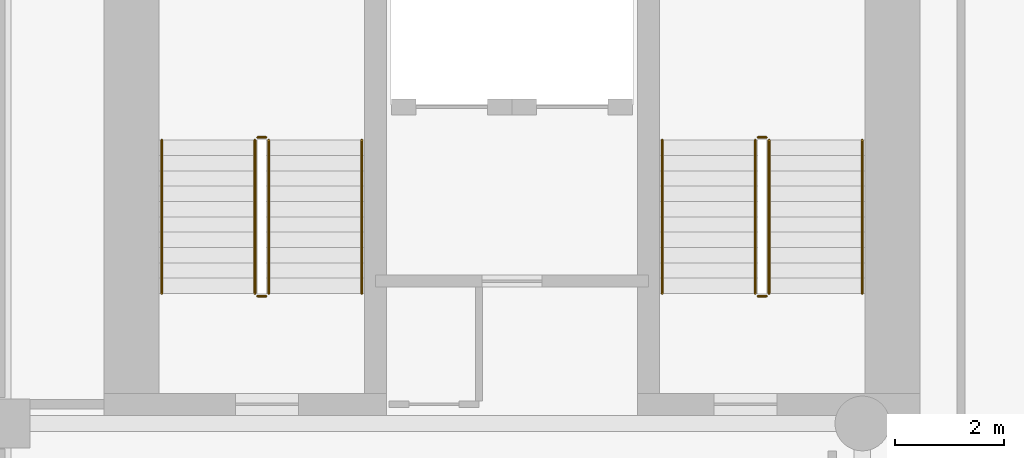
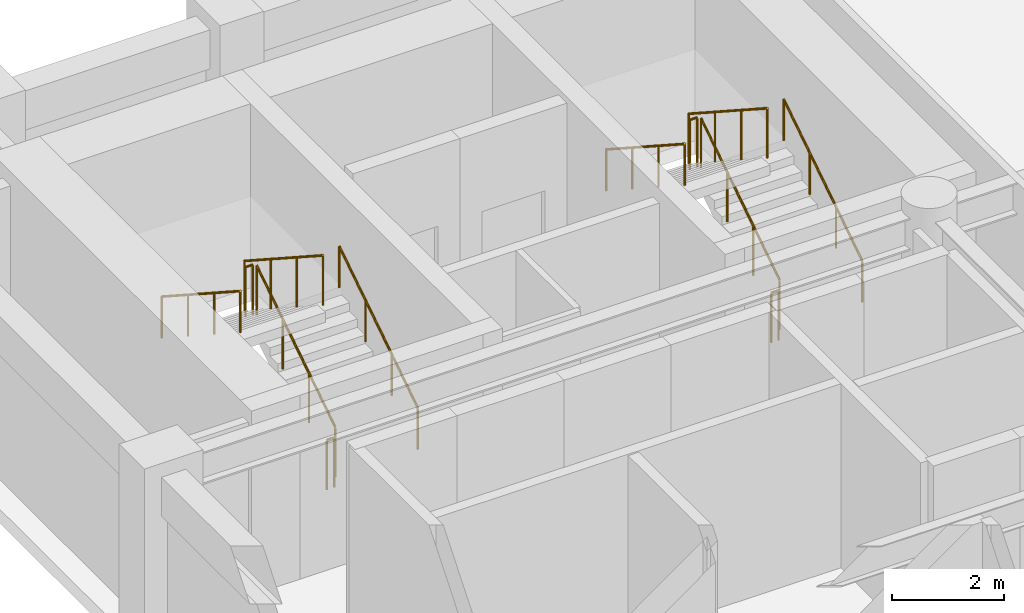
# One storey, part 9 of 10: 12 railings.
"""IFC4 building model written with IfcOpenShell, lengths in metres."""

import ifcopenshell
import ifcopenshell.guid

model = None  # the IFC model being written
_history = None  # IfcOwnerHistory: only IFC2X3 demands one
_inside = {}  # id of a spatial element -> (the spatial element, [elements in it])
_under = {}  # id of a project, library or spatial element -> (it, [spatial elements below it])
_declared = {}  # id of a project -> (the project, [libraries it declares])
_typed = {}  # id of a type object -> (the type object, [elements of that type])
_made_of = {}  # id of a material, layer set ... -> (it, [elements and type objects made of it])


def new_model(schema):
    """Start an empty IFC model of exactly this schema.

    Asked for "IFC4X3", IfcOpenShell would pick the latest addendum, in which some entities
    have other attributes; the version numbers below select the first issue.
    IFC2X3 requires an IfcOwnerHistory on every rooted entity: one is made here for all.
    """
    global model, _history
    if schema == "IFC4X3":
        model = ifcopenshell.file(schema_version=(4, 3, 0, 0))
    else:
        model = ifcopenshell.file(schema=schema)
    _inside.clear()
    _under.clear()
    _declared.clear()
    _typed.clear()
    _made_of.clear()
    _history = None
    if model.schema == "IFC2X3":
        org = make("IfcOrganization", Name="unknown")
        user = make(
            "IfcPersonAndOrganization",
            ThePerson=make("IfcPerson", FamilyName="unknown"),
            TheOrganization=org,
        )
        app = make(
            "IfcApplication",
            ApplicationDeveloper=org,
            Version="unknown",
            ApplicationFullName="unknown",
            ApplicationIdentifier="unknown",
        )
        _history = make(
            "IfcOwnerHistory",
            OwningUser=user,
            OwningApplication=app,
            ChangeAction="ADDED",
            CreationDate=0,
        )
    return model


def make(cls, **values):
    """One entity of the class cls with the attributes given. An attribute that is None is left unset."""
    return model.create_entity(
        cls, **{name: value for name, value in values.items() if value is not None}
    )


def rooted(cls, **values):
    """An entity with a GlobalId (a new one), such as an element, a storey or a relation."""
    return make(cls, GlobalId=ifcopenshell.guid.new(), OwnerHistory=_history, **values)


def si_unit(unit_type, name, prefix=None):
    """IfcSIUnit, for example si_unit("LENGTHUNIT", "METRE", prefix="MILLI")."""
    return make("IfcSIUnit", UnitType=unit_type, Prefix=prefix, Name=name)


def assignment(units):
    """IfcUnitAssignment: the units of a project."""
    return None if units is None else make("IfcUnitAssignment", Units=units)


def point(xyz):
    """IfcCartesianPoint."""
    return None if xyz is None else make("IfcCartesianPoint", Coordinates=xyz)


def direction(xyz):
    """IfcDirection."""
    return None if xyz is None else make("IfcDirection", DirectionRatios=xyz)


def frame(location, z_axis=None, x_axis=None):
    """IfcAxis2Placement3D, a coordinate frame: its origin and axes. An axis left out is left unset."""
    return make(
        "IfcAxis2Placement3D",
        Location=point(location),
        Axis=direction(z_axis),
        RefDirection=direction(x_axis),
    )


def frame_2d(location, x_axis=None):
    """IfcAxis2Placement2D, a coordinate frame in the plane: its origin and x axis."""
    return make(
        "IfcAxis2Placement2D", Location=point(location), RefDirection=direction(x_axis)
    )


def origin():
    """The frame at (0, 0, 0) with its axes left unset."""
    return frame((0.0, 0.0, 0.0))


def origin_2d():
    """The frame at (0, 0) in the plane with its x axis left unset."""
    return frame_2d((0.0, 0.0))


def place(relative_to, where):
    """IfcLocalPlacement: puts the frame where relative to a parent placement (None: the world)."""
    return make(
        "IfcLocalPlacement", PlacementRelTo=relative_to, RelativePlacement=where
    )


def context(
    kind, dimensions, precision=None, world=None, true_north=None, identifier=None
):
    """IfcGeometricRepresentationContext, for example the 3D "Model" context."""
    return make(
        "IfcGeometricRepresentationContext",
        ContextIdentifier=identifier,
        ContextType=kind,
        CoordinateSpaceDimension=dimensions,
        Precision=precision,
        WorldCoordinateSystem=world,
        TrueNorth=true_north,
    )


def subcontext(parent, identifier, kind, view, scale=None):
    """IfcGeometricRepresentationSubContext, for example "Body" below "Model"."""
    return make(
        "IfcGeometricRepresentationSubContext",
        ContextIdentifier=identifier,
        ContextType=kind,
        ParentContext=parent,
        TargetScale=scale,
        TargetView=view,
    )


def project(units=None, contexts=None):
    """IfcProject with its units and contexts."""
    return rooted(
        "IfcProject",
        Name="project",
        RepresentationContexts=contexts,
        UnitsInContext=assignment(units),
    )


def spatial(cls, under=None, at=None, **own):
    """A site, building, storey or space (cls), placed at a placement, below another one or the project."""
    s = rooted(cls, ObjectPlacement=at, **own)
    if under is not None:
        _under.setdefault(under.id(), (under, []))[1].append(s)
    return s


def profile(cls, at=None, kind="AREA", **sizes):
    """A parametric profile (cls). Its sizes go by their IFC names, for example OverallWidth=200.0."""
    return make(cls, ProfileType=kind, Position=at, **sizes)


def circle(**sizes):
    """IfcCircleProfileDef."""
    return profile("IfcCircleProfileDef", **sizes)


def extrude(swept, where, along, depth):
    """IfcExtrudedAreaSolid: the profile swept, set in the frame where, extruded along a direction by depth."""
    return make(
        "IfcExtrudedAreaSolid",
        SweptArea=swept,
        Position=where,
        ExtrudedDirection=direction(along),
        Depth=depth,
    )


def shape(context_of_items, identifier, shape_type, items):
    """IfcShapeRepresentation: the items that make up one representation, for example the "Body"."""
    return make(
        "IfcShapeRepresentation",
        ContextOfItems=context_of_items,
        RepresentationIdentifier=identifier,
        RepresentationType=shape_type,
        Items=items,
    )


def material(Name=None, Category=None):
    """IfcMaterial."""
    return make("IfcMaterial", Name=Name, Category=Category)


def made_of(thing, what):
    """Note that an element or type object is made of a material, layer set ...; save() writes the relation."""
    if what is not None:
        _made_of.setdefault(what.id(), (what, []))[1].append(thing)
    return thing


def type_object(cls, material=None, **own):
    """A type object (cls), such as IfcWallType, which elements share."""
    return made_of(rooted(cls, **own), material)


def element(
    cls,
    number,
    at=None,
    inside=None,
    cuts=None,
    type_object=None,
    material=None,
    context=None,
    identifier="Body",
    shape_type=None,
    held_by="IfcProductDefinitionShape",
    body=None,
    shapes=None,
    **own,
):
    """One element of the class cls, such as IfcWall. Its Tag is "e" and its number.

    at: its placement. inside: the storey or other place that contains it. cuts: it is an
    opening in that element (IfcRelVoidsElement). A single representation is given by context,
    identifier, shape_type and body (its items); several are given by shapes. held_by: the class
    of the entity that holds the representations. save() writes the other relations.
    """
    e = rooted(cls, Tag="e%d" % number, ObjectPlacement=at, **own)
    if body is not None:
        shapes = [shape(context, identifier, shape_type, body)]
    if shapes is not None:
        e.Representation = make(held_by, Representations=shapes)
    if inside is not None:
        _inside.setdefault(inside.id(), (inside, []))[1].append(e)
    if cuts is not None:
        rooted(
            "IfcRelVoidsElement", RelatingBuildingElement=cuts, RelatedOpeningElement=e
        )
    if type_object is not None:
        _typed.setdefault(type_object.id(), (type_object, []))[1].append(e)
    return made_of(e, material)


def aggregate(whole, parts):
    """IfcRelAggregates: a whole, such as a stair, and the parts it consists of."""
    return rooted("IfcRelAggregates", RelatingObject=whole, RelatedObjects=parts)


def save(model, path):
    """Write the relations noted so far, then the file.

    IfcRelAggregates (storeys below a building ...), IfcRelContainedInSpatialStructure (elements
    in a storey), IfcRelDefinesByType, IfcRelAssociatesMaterial and IfcRelDeclares: one each for
    every whole, place, type object, material and project.
    """
    for whole, parts in _under.values():
        aggregate(whole, parts)
    for where, things in _inside.values():
        rooted(
            "IfcRelContainedInSpatialStructure",
            RelatedElements=things,
            RelatingStructure=where,
        )
    for kind, things in _typed.values():
        rooted("IfcRelDefinesByType", RelatedObjects=things, RelatingType=kind)
    for what, things in _made_of.values():
        rooted("IfcRelAssociatesMaterial", RelatedObjects=things, RelatingMaterial=what)
    for by, libraries in _declared.values():
        rooted("IfcRelDeclares", RelatingContext=by, RelatedDefinitions=libraries)
    model.write(path)


model = new_model("IFC4")

# Units and contexts
model_context = context("Model", 3, precision=1e-05, world=origin(), true_north=direction((0.0, 1.0)))
body_context = subcontext(model_context, "Body", "Model", "MODEL_VIEW")
ifc_project = project(units=[si_unit("LENGTHUNIT", "METRE"), si_unit("AREAUNIT", "SQUARE_METRE"), si_unit("VOLUMEUNIT", "CUBIC_METRE"), si_unit("PLANEANGLEUNIT", "RADIAN"), si_unit("MASSUNIT", "GRAM", prefix="KILO")], contexts=[model_context])

# Site, building, storey
site_placement = place(None, origin())
site = spatial("IfcSite", under=ifc_project, at=site_placement, CompositionType="ELEMENT")
building_placement = place(site_placement, origin())
building = spatial("IfcBuilding", under=site, at=building_placement, Name="Sulina Concourse Tower", CompositionType="ELEMENT")
storey_placement = place(building_placement, frame((0.0, 0.0, 54.60009765625)))
storey = spatial("IfcBuildingStorey", under=building, at=storey_placement, Name="L13", CompositionType="ELEMENT", Elevation=54.60009765625)

# Railings
ifc_material_1 = material(Name="Galvanised steel railing", Category="steel")
railing_type_1 = type_object("IfcRailingType", Name="Core Stair Steel Guardrail 1150mm", PredefinedType="GUARDRAIL", material=ifc_material_1)
railing_1_placement = place(storey_placement, frame((5.554931640625, 36.375, 0.181640625)))
element("IfcRailing", 1, at=railing_1_placement, inside=storey, type_object=railing_type_1, Name="L13 ST-1 stair guard 1", PredefinedType="GUARDRAIL", context=body_context, shape_type="SweptSolid", body=[
    extrude(circle(Radius=0.02392578125, at=origin_2d()), frame((0.0, 0.0, 1.076171875), z_axis=(0.0, 0.838672427954, 0.544636170843), x_axis=(-1.0, 0.0, 0.0)), (0.0, 0.0, 1.0), 3.338623046875),
    extrude(circle(Radius=0.02099609375, at=origin_2d()), origin(), (0.0, 0.0, 1.0), 1.052001953125),
    extrude(circle(Radius=0.02099609375, at=origin_2d()), frame((0.0, 0.933349609375, 0.606201171875)), (0.0, 0.0, 1.0), 1.052001953125),
    extrude(circle(Radius=0.02099609375, at=origin_2d()), frame((0.0, 1.86669921875, 1.212158203125)), (0.0, 0.0, 1.0), 1.052001953125),
    extrude(circle(Radius=0.02099609375, at=origin_2d()), frame((0.0, 2.800048828125, 1.818359375)), (0.0, 0.0, 1.0), 1.052001953125),
])
railing_2_placement = place(storey_placement, frame((5.5048828125, 39.22509765625, 2.0)))
element("IfcRailing", 2, at=railing_2_placement, inside=storey, type_object=railing_type_1, Name="L13 ST-1 stair guard 2", PredefinedType="GUARDRAIL", context=body_context, shape_type="SweptSolid", body=[
    extrude(circle(Radius=0.02392578125, at=origin_2d()), frame((0.0, 0.0, 1.076171875), z_axis=(-1.0, 0.0, 0.0), x_axis=(0.0, -1.0, 0.0)), (0.0, 0.0, 1.0), 0.14990234375),
    extrude(circle(Radius=0.02099609375, at=origin_2d()), origin(), (0.0, 0.0, 1.0), 1.052001953125),
    extrude(circle(Radius=0.02099609375, at=origin_2d()), frame((-0.14990234375, 0.0, 0.0)), (0.0, 0.0, 1.0), 1.052001953125),
])
railing_3_placement = place(storey_placement, frame((5.304931640625, 39.175048828125, 2.181640625)))
element("IfcRailing", 3, at=railing_3_placement, inside=storey, type_object=railing_type_1, Name="L13 ST-1 stair guard 3", PredefinedType="GUARDRAIL", context=body_context, shape_type="SweptSolid", body=[
    extrude(circle(Radius=0.02392578125, at=origin_2d()), frame((0.0, 0.0, 1.076171875), z_axis=(0.0, -0.838672427954, 0.544636170843), x_axis=(1.0, 0.0, 0.0)), (0.0, 0.0, 1.0), 3.338623046875),
    extrude(circle(Radius=0.02099609375, at=origin_2d()), origin(), (0.0, 0.0, 1.0), 1.052001953125),
    extrude(circle(Radius=0.02099609375, at=origin_2d()), frame((0.0, -0.933349609375, 0.606201171875)), (0.0, 0.0, 1.0), 1.052001953125),
    extrude(circle(Radius=0.02099609375, at=origin_2d()), frame((0.0, -1.86669921875, 1.212158203125)), (0.0, 0.0, 1.0), 1.052001953125),
    extrude(circle(Radius=0.02099609375, at=origin_2d()), frame((0.0, -2.800048828125, 1.818359375)), (0.0, 0.0, 1.0), 1.052001953125),
])
railing_4_placement = place(storey_placement, frame((5.5048828125, 36.324951171875, 0.0)))
element("IfcRailing", 4, at=railing_4_placement, inside=storey, type_object=railing_type_1, Name="L13 ST-1 stair guard 4", PredefinedType="GUARDRAIL", context=body_context, shape_type="SweptSolid", body=[
    extrude(circle(Radius=0.02392578125, at=origin_2d()), frame((0.0, 0.0, 1.076171875), z_axis=(-1.0, 0.0, 0.0), x_axis=(0.0, -1.0, 0.0)), (0.0, 0.0, 1.0), 0.14990234375),
    extrude(circle(Radius=0.02099609375, at=origin_2d()), origin(), (0.0, 0.0, 1.0), 1.052001953125),
    extrude(circle(Radius=0.02099609375, at=origin_2d()), frame((-0.14990234375, 0.0, 0.0)), (0.0, 0.0, 1.0), 1.052001953125),
])
railing_5_placement = place(storey_placement, frame((14.695068359375, 36.375, 0.181640625)))
element("IfcRailing", 5, at=railing_5_placement, inside=storey, type_object=railing_type_1, Name="L13 ST-2 stair guard 1", PredefinedType="GUARDRAIL", context=body_context, shape_type="SweptSolid", body=[
    extrude(circle(Radius=0.02392578125, at=origin_2d()), frame((0.0, 0.0, 1.076171875), z_axis=(0.0, 0.838672427954, 0.544636170843), x_axis=(-1.0, 0.0, 0.0)), (0.0, 0.0, 1.0), 3.338623046875),
    extrude(circle(Radius=0.02099609375, at=origin_2d()), origin(), (0.0, 0.0, 1.0), 1.052001953125),
    extrude(circle(Radius=0.02099609375, at=origin_2d()), frame((0.0, 0.933349609375, 0.606201171875)), (0.0, 0.0, 1.0), 1.052001953125),
    extrude(circle(Radius=0.02099609375, at=origin_2d()), frame((0.0, 1.86669921875, 1.212158203125)), (0.0, 0.0, 1.0), 1.052001953125),
    extrude(circle(Radius=0.02099609375, at=origin_2d()), frame((0.0, 2.800048828125, 1.818359375)), (0.0, 0.0, 1.0), 1.052001953125),
])
railing_6_placement = place(storey_placement, frame((14.64501953125, 39.22509765625, 2.0)))
element("IfcRailing", 6, at=railing_6_placement, inside=storey, type_object=railing_type_1, Name="L13 ST-2 stair guard 2", PredefinedType="GUARDRAIL", context=body_context, shape_type="SweptSolid", body=[
    extrude(circle(Radius=0.02392578125, at=origin_2d()), frame((0.0, 0.0, 1.076171875), z_axis=(-1.0, 0.0, 0.0), x_axis=(0.0, -1.0, 0.0)), (0.0, 0.0, 1.0), 0.14990234375),
    extrude(circle(Radius=0.02099609375, at=origin_2d()), origin(), (0.0, 0.0, 1.0), 1.052001953125),
    extrude(circle(Radius=0.02099609375, at=origin_2d()), frame((-0.14990234375, 0.0, 0.0)), (0.0, 0.0, 1.0), 1.052001953125),
])
railing_7_placement = place(storey_placement, frame((14.445068359375, 39.175048828125, 2.181640625)))
element("IfcRailing", 7, at=railing_7_placement, inside=storey, type_object=railing_type_1, Name="L13 ST-2 stair guard 3", PredefinedType="GUARDRAIL", context=body_context, shape_type="SweptSolid", body=[
    extrude(circle(Radius=0.02392578125, at=origin_2d()), frame((0.0, 0.0, 1.076171875), z_axis=(0.0, -0.838672427954, 0.544636170843), x_axis=(1.0, 0.0, 0.0)), (0.0, 0.0, 1.0), 3.338623046875),
    extrude(circle(Radius=0.02099609375, at=origin_2d()), origin(), (0.0, 0.0, 1.0), 1.052001953125),
    extrude(circle(Radius=0.02099609375, at=origin_2d()), frame((0.0, -0.933349609375, 0.606201171875)), (0.0, 0.0, 1.0), 1.052001953125),
    extrude(circle(Radius=0.02099609375, at=origin_2d()), frame((0.0, -1.86669921875, 1.212158203125)), (0.0, 0.0, 1.0), 1.052001953125),
    extrude(circle(Radius=0.02099609375, at=origin_2d()), frame((0.0, -2.800048828125, 1.818359375)), (0.0, 0.0, 1.0), 1.052001953125),
])
railing_8_placement = place(storey_placement, frame((14.64501953125, 36.324951171875, 0.0)))
element("IfcRailing", 8, at=railing_8_placement, inside=storey, type_object=railing_type_1, Name="L13 ST-2 stair guard 4", PredefinedType="GUARDRAIL", context=body_context, shape_type="SweptSolid", body=[
    extrude(circle(Radius=0.02392578125, at=origin_2d()), frame((0.0, 0.0, 1.076171875), z_axis=(-1.0, 0.0, 0.0), x_axis=(0.0, -1.0, 0.0)), (0.0, 0.0, 1.0), 0.14990234375),
    extrude(circle(Radius=0.02099609375, at=origin_2d()), origin(), (0.0, 0.0, 1.0), 1.052001953125),
    extrude(circle(Radius=0.02099609375, at=origin_2d()), frame((-0.14990234375, 0.0, 0.0)), (0.0, 0.0, 1.0), 1.052001953125),
])
ifc_material_2 = material(Name="Galvanised steel railing", Category="steel")
railing_type_2 = type_object("IfcRailingType", Name="Stair Wall Steel Handrail 920mm", PredefinedType="HANDRAIL", material=ifc_material_2)
railing_9_placement = place(storey_placement, frame((7.2548828125, 36.375, 0.181640625)))
element("IfcRailing", 9, at=railing_9_placement, inside=storey, type_object=railing_type_2, Name="L13 ST-1 stair handrail 1", PredefinedType="HANDRAIL", context=body_context, shape_type="SweptSolid", body=[
    extrude(circle(Radius=0.02392578125, at=origin_2d()), frame((0.0, 0.0, 0.89599609375), z_axis=(0.0, 0.838672427954, 0.544636170843), x_axis=(-1.0, 0.0, 0.0)), (0.0, 0.0, 1.0), 3.338623046875),
    extrude(circle(Radius=0.02099609375, at=origin_2d()), origin(), (0.0, 0.0, 1.0), 0.871826171875),
    extrude(circle(Radius=0.02099609375, at=origin_2d()), frame((0.0, 0.933349609375, 0.606201171875)), (0.0, 0.0, 1.0), 0.871826171875),
    extrude(circle(Radius=0.02099609375, at=origin_2d()), frame((0.0, 1.86669921875, 1.212158203125)), (0.0, 0.0, 1.0), 0.871826171875),
    extrude(circle(Radius=0.02099609375, at=origin_2d()), frame((0.0, 2.800048828125, 1.818359375)), (0.0, 0.0, 1.0), 0.871826171875),
])
railing_10_placement = place(storey_placement, frame((3.60498046875, 39.175048828125, 2.181640625)))
element("IfcRailing", 10, at=railing_10_placement, inside=storey, type_object=railing_type_2, Name="L13 ST-1 stair handrail 2", PredefinedType="HANDRAIL", context=body_context, shape_type="SweptSolid", body=[
    extrude(circle(Radius=0.02392578125, at=origin_2d()), frame((0.0, 0.0, 0.89599609375), z_axis=(0.0, -0.838672427954, 0.544636170843), x_axis=(1.0, 0.0, 0.0)), (0.0, 0.0, 1.0), 3.338623046875),
    extrude(circle(Radius=0.02099609375, at=origin_2d()), origin(), (0.0, 0.0, 1.0), 0.871826171875),
    extrude(circle(Radius=0.02099609375, at=origin_2d()), frame((0.0, -0.933349609375, 0.606201171875)), (0.0, 0.0, 1.0), 0.871826171875),
    extrude(circle(Radius=0.02099609375, at=origin_2d()), frame((0.0, -1.86669921875, 1.212158203125)), (0.0, 0.0, 1.0), 0.871826171875),
    extrude(circle(Radius=0.02099609375, at=origin_2d()), frame((0.0, -2.800048828125, 1.818359375)), (0.0, 0.0, 1.0), 0.871826171875),
])
railing_11_placement = place(storey_placement, frame((16.39501953125, 36.375, 0.181640625)))
element("IfcRailing", 11, at=railing_11_placement, inside=storey, type_object=railing_type_2, Name="L13 ST-2 stair handrail 1", PredefinedType="HANDRAIL", context=body_context, shape_type="SweptSolid", body=[
    extrude(circle(Radius=0.02392578125, at=origin_2d()), frame((0.0, 0.0, 0.89599609375), z_axis=(0.0, 0.838672427954, 0.544636170843), x_axis=(-1.0, 0.0, 0.0)), (0.0, 0.0, 1.0), 3.338623046875),
    extrude(circle(Radius=0.02099609375, at=origin_2d()), origin(), (0.0, 0.0, 1.0), 0.871826171875),
    extrude(circle(Radius=0.02099609375, at=origin_2d()), frame((0.0, 0.933349609375, 0.606201171875)), (0.0, 0.0, 1.0), 0.871826171875),
    extrude(circle(Radius=0.02099609375, at=origin_2d()), frame((0.0, 1.86669921875, 1.212158203125)), (0.0, 0.0, 1.0), 0.871826171875),
    extrude(circle(Radius=0.02099609375, at=origin_2d()), frame((0.0, 2.800048828125, 1.818359375)), (0.0, 0.0, 1.0), 0.871826171875),
])
railing_12_placement = place(storey_placement, frame((12.7451171875, 39.175048828125, 2.181640625)))
element("IfcRailing", 12, at=railing_12_placement, inside=storey, type_object=railing_type_2, Name="L13 ST-2 stair handrail 2", PredefinedType="HANDRAIL", context=body_context, shape_type="SweptSolid", body=[
    extrude(circle(Radius=0.02392578125, at=origin_2d()), frame((0.0, 0.0, 0.89599609375), z_axis=(0.0, -0.838672427954, 0.544636170843), x_axis=(1.0, 0.0, 0.0)), (0.0, 0.0, 1.0), 3.338623046875),
    extrude(circle(Radius=0.02099609375, at=origin_2d()), origin(), (0.0, 0.0, 1.0), 0.871826171875),
    extrude(circle(Radius=0.02099609375, at=origin_2d()), frame((0.0, -0.933349609375, 0.606201171875)), (0.0, 0.0, 1.0), 0.871826171875),
    extrude(circle(Radius=0.02099609375, at=origin_2d()), frame((0.0, -1.86669921875, 1.212158203125)), (0.0, 0.0, 1.0), 0.871826171875),
    extrude(circle(Radius=0.02099609375, at=origin_2d()), frame((0.0, -2.800048828125, 1.818359375)), (0.0, 0.0, 1.0), 0.871826171875),
])

save(model, "model.ifc")
